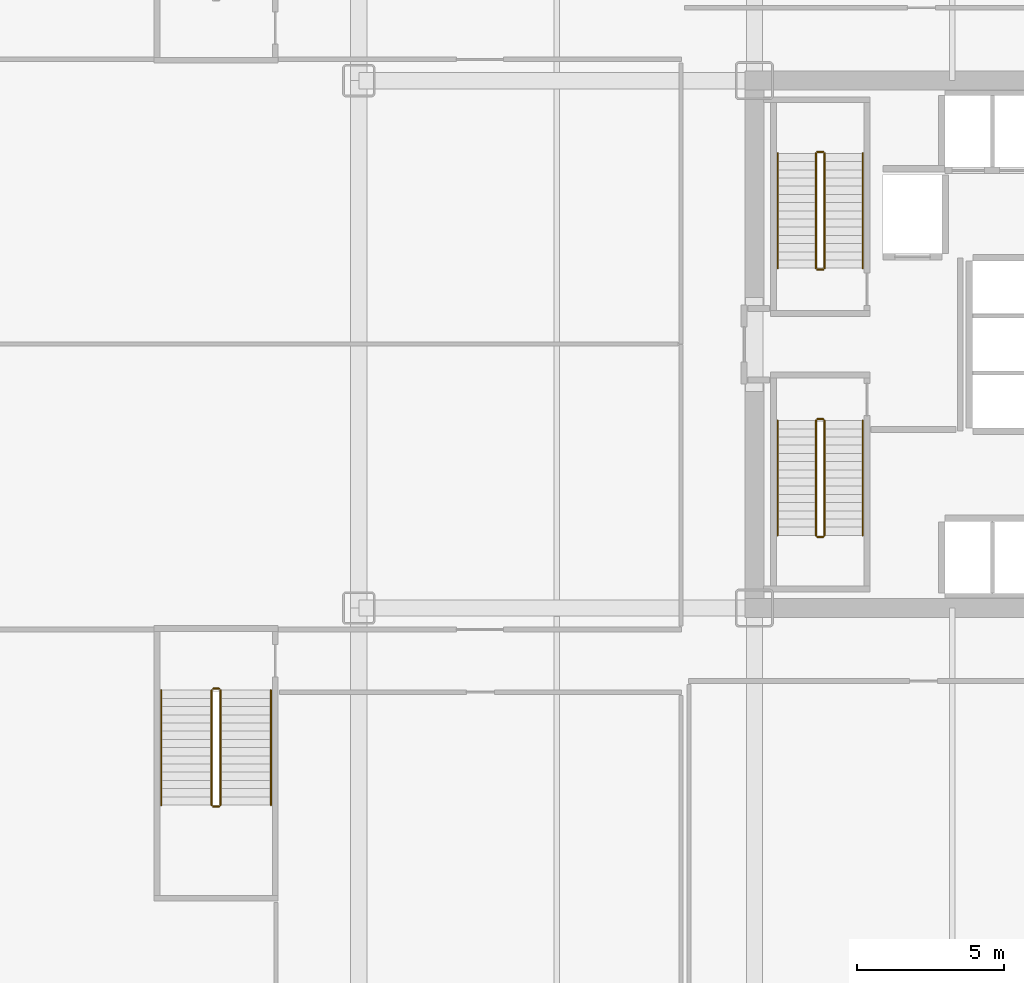
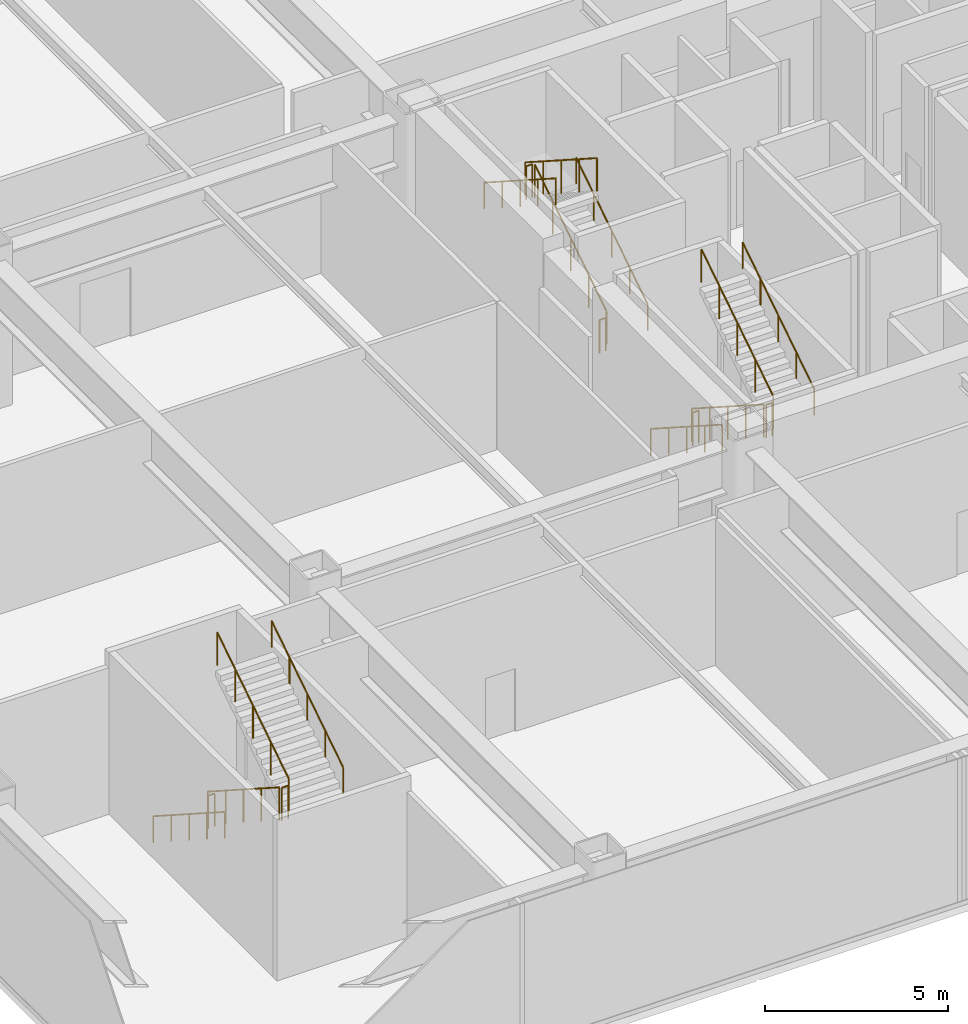
# One storey, part 21 of 24: 18 railings.
"""IFC4 building model written with IfcOpenShell, lengths in metres."""

from ifc_helpers import new_model, si_unit, direction, frame, origin, origin_2d, place, context, subcontext, project, spatial, circle, extrude, material, type_object, element, save


model = new_model("IFC4")

# Units and contexts
model_context = context("Model", 3, precision=1e-05, world=origin(), true_north=direction((0.0, 1.0)))
body_context = subcontext(model_context, "Body", "Model", "MODEL_VIEW")
ifc_project = project(units=[si_unit("LENGTHUNIT", "METRE"), si_unit("AREAUNIT", "SQUARE_METRE"), si_unit("VOLUMEUNIT", "CUBIC_METRE"), si_unit("PLANEANGLEUNIT", "RADIAN"), si_unit("MASSUNIT", "GRAM", prefix="KILO")], contexts=[model_context])

# Site, building, storey
site_placement = place(None, origin())
site = spatial("IfcSite", under=ifc_project, at=site_placement, CompositionType="ELEMENT")
building_placement = place(site_placement, origin())
building = spatial("IfcBuilding", under=site, at=building_placement, Name="Nefas-Gora Pilgrimage Tower", CompositionType="ELEMENT")
storey_placement = place(building_placement, frame((0.0, 0.0, 22.199951171875)))
storey = spatial("IfcBuildingStorey", under=building, at=storey_placement, Name="L04", CompositionType="ELEMENT", Elevation=22.199951171875)

# Railings
ifc_material_1 = material(Name="Painted galvanised steel", Category="steel")
railing_type_1 = type_object("IfcRailingType", Name="RLG-STR-GUARD-1100", PredefinedType="GUARDRAIL", material=ifc_material_1)
railing_1_placement = place(storey_placement, frame((-8.85009765625, 2.60009765625, 0.179931640625)))
element("IfcRailing", 1, at=railing_1_placement, inside=storey, type_object=railing_type_1, Name="L04 ST-01 stair guard 1", PredefinedType="GUARDRAIL", context=body_context, shape_type="SweptSolid", body=[
    extrude(circle(Radius=0.02392578125, at=origin_2d()), frame((0.0, 0.0, 1.09619140625), z_axis=(0.0, 0.841171666519, 0.540768182723), x_axis=(-1.0, 0.0, 0.0)), (0.0, 0.0, 1.0), 4.66015625),
    extrude(circle(Radius=0.02099609375, at=origin_2d()), origin(), (0.0, 0.0, 1.0), 1.072021484375),
    extrude(circle(Radius=0.02099609375, at=origin_2d()), frame((0.0, 0.97998046875, 0.6298828125)), (0.0, 0.0, 1.0), 1.072021484375),
    extrude(circle(Radius=0.02099609375, at=origin_2d()), frame((0.0, 1.9599609375, 1.260009765625)), (0.0, 0.0, 1.0), 1.072021484375),
    extrude(circle(Radius=0.02099609375, at=origin_2d()), frame((0.0, 2.93994140625, 1.89013671875)), (0.0, 0.0, 1.0), 1.072021484375),
    extrude(circle(Radius=0.02099609375, at=origin_2d()), frame((0.0, 3.919921875, 2.52001953125)), (0.0, 0.0, 1.0), 1.072021484375),
])
railing_2_placement = place(storey_placement, frame((-8.89990234375, 6.570068359375, 2.699951171875)))
element("IfcRailing", 2, at=railing_2_placement, inside=storey, type_object=railing_type_1, Name="L04 ST-01 stair guard 2", PredefinedType="GUARDRAIL", context=body_context, shape_type="SweptSolid", body=[
    extrude(circle(Radius=0.02392578125, at=origin_2d()), frame((0.0, 0.0, 1.09619140625), z_axis=(-1.0, 0.0, 0.0), x_axis=(0.0, -1.0, 0.0)), (0.0, 0.0, 1.0), 0.2001953125),
    extrude(circle(Radius=0.02099609375, at=origin_2d()), origin(), (0.0, 0.0, 1.0), 1.072021484375),
    extrude(circle(Radius=0.02099609375, at=origin_2d()), frame((-0.2001953125, 0.0, 0.0)), (0.0, 0.0, 1.0), 1.072021484375),
])
railing_3_placement = place(storey_placement, frame((-9.14990234375, 6.52001953125, 2.880126953125)))
element("IfcRailing", 3, at=railing_3_placement, inside=storey, type_object=railing_type_1, Name="L04 ST-01 stair guard 3", PredefinedType="GUARDRAIL", context=body_context, shape_type="SweptSolid", body=[
    extrude(circle(Radius=0.02392578125, at=origin_2d()), frame((0.0, 0.0, 1.09619140625), z_axis=(0.0, -0.841171666519, 0.540768182723), x_axis=(1.0, 0.0, 0.0)), (0.0, 0.0, 1.0), 4.66015625),
    extrude(circle(Radius=0.02099609375, at=origin_2d()), origin(), (0.0, 0.0, 1.0), 1.072021484375),
    extrude(circle(Radius=0.02099609375, at=origin_2d()), frame((0.0, -0.97998046875, 0.6298828125)), (0.0, 0.0, 1.0), 1.072021484375),
    extrude(circle(Radius=0.02099609375, at=origin_2d()), frame((0.0, -1.9599609375, 1.260009765625)), (0.0, 0.0, 1.0), 1.072021484375),
    extrude(circle(Radius=0.02099609375, at=origin_2d()), frame((0.0, -2.93994140625, 1.89013671875)), (0.0, 0.0, 1.0), 1.072021484375),
    extrude(circle(Radius=0.02099609375, at=origin_2d()), frame((0.0, -3.919921875, 2.52001953125)), (0.0, 0.0, 1.0), 1.072021484375),
])
railing_4_placement = place(storey_placement, frame((-8.89990234375, 2.550048828125, 0.0)))
element("IfcRailing", 4, at=railing_4_placement, inside=storey, type_object=railing_type_1, Name="L04 ST-01 stair guard 4", PredefinedType="GUARDRAIL", context=body_context, shape_type="SweptSolid", body=[
    extrude(circle(Radius=0.02392578125, at=origin_2d()), frame((0.0, 0.0, 1.09619140625), z_axis=(-1.0, 0.0, 0.0), x_axis=(0.0, -1.0, 0.0)), (0.0, 0.0, 1.0), 0.2001953125),
    extrude(circle(Radius=0.02099609375, at=origin_2d()), origin(), (0.0, 0.0, 1.0), 1.072021484375),
    extrude(circle(Radius=0.02099609375, at=origin_2d()), frame((-0.2001953125, 0.0, 0.0)), (0.0, 0.0, 1.0), 1.072021484375),
])
railing_5_placement = place(storey_placement, frame((-9.14990234375, -2.60009765625, 0.179931640625)))
element("IfcRailing", 5, at=railing_5_placement, inside=storey, type_object=railing_type_1, Name="L04 ST-03 stair guard 1", PredefinedType="GUARDRAIL", context=body_context, shape_type="SweptSolid", body=[
    extrude(circle(Radius=0.02392578125, at=origin_2d()), frame((0.0, 0.0, 1.09619140625), z_axis=(0.0, -0.841171666519, 0.540768182723), x_axis=(1.0, 0.0, 0.0)), (0.0, 0.0, 1.0), 4.66015625),
    extrude(circle(Radius=0.02099609375, at=origin_2d()), origin(), (0.0, 0.0, 1.0), 1.072021484375),
    extrude(circle(Radius=0.02099609375, at=origin_2d()), frame((0.0, -0.97998046875, 0.6298828125)), (0.0, 0.0, 1.0), 1.072021484375),
    extrude(circle(Radius=0.02099609375, at=origin_2d()), frame((0.0, -1.9599609375, 1.260009765625)), (0.0, 0.0, 1.0), 1.072021484375),
    extrude(circle(Radius=0.02099609375, at=origin_2d()), frame((0.0, -2.93994140625, 1.89013671875)), (0.0, 0.0, 1.0), 1.072021484375),
    extrude(circle(Radius=0.02099609375, at=origin_2d()), frame((0.0, -3.919921875, 2.52001953125)), (0.0, 0.0, 1.0), 1.072021484375),
])
railing_6_placement = place(storey_placement, frame((-9.10009765625, -6.570068359375, 2.699951171875)))
element("IfcRailing", 6, at=railing_6_placement, inside=storey, type_object=railing_type_1, Name="L04 ST-03 stair guard 2", PredefinedType="GUARDRAIL", context=body_context, shape_type="SweptSolid", body=[
    extrude(circle(Radius=0.02392578125, at=origin_2d()), frame((0.0, 0.0, 1.09619140625), z_axis=(1.0, 0.0, 0.0), x_axis=(0.0, 1.0, 0.0)), (0.0, 0.0, 1.0), 0.2001953125),
    extrude(circle(Radius=0.02099609375, at=origin_2d()), origin(), (0.0, 0.0, 1.0), 1.072021484375),
    extrude(circle(Radius=0.02099609375, at=origin_2d()), frame((0.2001953125, 0.0, 0.0)), (0.0, 0.0, 1.0), 1.072021484375),
])
railing_7_placement = place(storey_placement, frame((-8.85009765625, -6.52001953125, 2.880126953125)))
element("IfcRailing", 7, at=railing_7_placement, inside=storey, type_object=railing_type_1, Name="L04 ST-03 stair guard 3", PredefinedType="GUARDRAIL", context=body_context, shape_type="SweptSolid", body=[
    extrude(circle(Radius=0.02392578125, at=origin_2d()), frame((0.0, 0.0, 1.09619140625), z_axis=(0.0, 0.841171666519, 0.540768182723), x_axis=(-1.0, 0.0, 0.0)), (0.0, 0.0, 1.0), 4.66015625),
    extrude(circle(Radius=0.02099609375, at=origin_2d()), origin(), (0.0, 0.0, 1.0), 1.072021484375),
    extrude(circle(Radius=0.02099609375, at=origin_2d()), frame((0.0, 0.97998046875, 0.6298828125)), (0.0, 0.0, 1.0), 1.072021484375),
    extrude(circle(Radius=0.02099609375, at=origin_2d()), frame((0.0, 1.9599609375, 1.260009765625)), (0.0, 0.0, 1.0), 1.072021484375),
    extrude(circle(Radius=0.02099609375, at=origin_2d()), frame((0.0, 2.93994140625, 1.89013671875)), (0.0, 0.0, 1.0), 1.072021484375),
    extrude(circle(Radius=0.02099609375, at=origin_2d()), frame((0.0, 3.919921875, 2.52001953125)), (0.0, 0.0, 1.0), 1.072021484375),
])
railing_8_placement = place(storey_placement, frame((-9.10009765625, -2.550048828125, 0.0)))
element("IfcRailing", 8, at=railing_8_placement, inside=storey, type_object=railing_type_1, Name="L04 ST-03 stair guard 4", PredefinedType="GUARDRAIL", context=body_context, shape_type="SweptSolid", body=[
    extrude(circle(Radius=0.02392578125, at=origin_2d()), frame((0.0, 0.0, 1.09619140625), z_axis=(1.0, 0.0, 0.0), x_axis=(0.0, 1.0, 0.0)), (0.0, 0.0, 1.0), 0.2001953125),
    extrude(circle(Radius=0.02099609375, at=origin_2d()), origin(), (0.0, 0.0, 1.0), 1.072021484375),
    extrude(circle(Radius=0.02099609375, at=origin_2d()), frame((0.2001953125, 0.0, 0.0)), (0.0, 0.0, 1.0), 1.072021484375),
])
railing_9_placement = place(storey_placement, frame((-29.77001953125, -11.800048828125, 0.179931640625)))
element("IfcRailing", 9, at=railing_9_placement, inside=storey, type_object=railing_type_1, Name="L04 ST-05 stair guard 1", PredefinedType="GUARDRAIL", context=body_context, shape_type="SweptSolid", body=[
    extrude(circle(Radius=0.02392578125, at=origin_2d()), frame((0.0, 0.0, 1.09619140625), z_axis=(0.0, -0.841171666519, 0.540768182723), x_axis=(1.0, 0.0, 0.0)), (0.0, 0.0, 1.0), 4.66015625),
    extrude(circle(Radius=0.02099609375, at=origin_2d()), origin(), (0.0, 0.0, 1.0), 1.072021484375),
    extrude(circle(Radius=0.02099609375, at=origin_2d()), frame((0.0, -0.97998046875, 0.6298828125)), (0.0, 0.0, 1.0), 1.072021484375),
    extrude(circle(Radius=0.02099609375, at=origin_2d()), frame((0.0, -1.9599609375, 1.260009765625)), (0.0, 0.0, 1.0), 1.072021484375),
    extrude(circle(Radius=0.02099609375, at=origin_2d()), frame((0.0, -2.93994140625, 1.89013671875)), (0.0, 0.0, 1.0), 1.072021484375),
    extrude(circle(Radius=0.02099609375, at=origin_2d()), frame((0.0, -3.919921875, 2.52001953125)), (0.0, 0.0, 1.0), 1.072021484375),
])
railing_10_placement = place(storey_placement, frame((-29.719970703125, -15.77001953125, 2.699951171875)))
element("IfcRailing", 10, at=railing_10_placement, inside=storey, type_object=railing_type_1, Name="L04 ST-05 stair guard 2", PredefinedType="GUARDRAIL", context=body_context, shape_type="SweptSolid", body=[
    extrude(circle(Radius=0.02392578125, at=origin_2d()), frame((0.0, 0.0, 1.09619140625), z_axis=(1.0, 0.0, 0.0), x_axis=(0.0, 1.0, 0.0)), (0.0, 0.0, 1.0), 0.199951171875),
    extrude(circle(Radius=0.02099609375, at=origin_2d()), origin(), (0.0, 0.0, 1.0), 1.072021484375),
    extrude(circle(Radius=0.02099609375, at=origin_2d()), frame((0.199951171875, 0.0, 0.0)), (0.0, 0.0, 1.0), 1.072021484375),
])
railing_11_placement = place(storey_placement, frame((-29.469970703125, -15.719970703125, 2.880126953125)))
element("IfcRailing", 11, at=railing_11_placement, inside=storey, type_object=railing_type_1, Name="L04 ST-05 stair guard 3", PredefinedType="GUARDRAIL", context=body_context, shape_type="SweptSolid", body=[
    extrude(circle(Radius=0.02392578125, at=origin_2d()), frame((0.0, 0.0, 1.09619140625), z_axis=(0.0, 0.841171666519, 0.540768182723), x_axis=(-1.0, 0.0, 0.0)), (0.0, 0.0, 1.0), 4.66015625),
    extrude(circle(Radius=0.02099609375, at=origin_2d()), origin(), (0.0, 0.0, 1.0), 1.072021484375),
    extrude(circle(Radius=0.02099609375, at=origin_2d()), frame((0.0, 0.97998046875, 0.6298828125)), (0.0, 0.0, 1.0), 1.072021484375),
    extrude(circle(Radius=0.02099609375, at=origin_2d()), frame((0.0, 1.9599609375, 1.260009765625)), (0.0, 0.0, 1.0), 1.072021484375),
    extrude(circle(Radius=0.02099609375, at=origin_2d()), frame((0.0, 2.93994140625, 1.89013671875)), (0.0, 0.0, 1.0), 1.072021484375),
    extrude(circle(Radius=0.02099609375, at=origin_2d()), frame((0.0, 3.919921875, 2.52001953125)), (0.0, 0.0, 1.0), 1.072021484375),
])
railing_12_placement = place(storey_placement, frame((-29.719970703125, -11.75, 0.0)))
element("IfcRailing", 12, at=railing_12_placement, inside=storey, type_object=railing_type_1, Name="L04 ST-05 stair guard 4", PredefinedType="GUARDRAIL", context=body_context, shape_type="SweptSolid", body=[
    extrude(circle(Radius=0.02392578125, at=origin_2d()), frame((0.0, 0.0, 1.09619140625), z_axis=(1.0, 0.0, 0.0), x_axis=(0.0, 1.0, 0.0)), (0.0, 0.0, 1.0), 0.199951171875),
    extrude(circle(Radius=0.02099609375, at=origin_2d()), origin(), (0.0, 0.0, 1.0), 1.072021484375),
    extrude(circle(Radius=0.02099609375, at=origin_2d()), frame((0.199951171875, 0.0, 0.0)), (0.0, 0.0, 1.0), 1.072021484375),
])
ifc_material_2 = material(Name="Brushed stainless steel", Category="steel")
railing_type_2 = type_object("IfcRailingType", Name="RLG-STR-HAND-900", PredefinedType="HANDRAIL", material=ifc_material_2)
railing_13_placement = place(storey_placement, frame((-7.550048828125, 2.60009765625, 0.179931640625)))
element("IfcRailing", 13, at=railing_13_placement, inside=storey, type_object=railing_type_2, Name="L04 ST-01 stair handrail 1", PredefinedType="HANDRAIL", context=body_context, shape_type="SweptSolid", body=[
    extrude(circle(Radius=0.02392578125, at=origin_2d()), frame((0.0, 0.0, 0.8759765625), z_axis=(0.0, 0.841171666519, 0.540768182723), x_axis=(-1.0, 0.0, 0.0)), (0.0, 0.0, 1.0), 4.66015625),
    extrude(circle(Radius=0.02099609375, at=origin_2d()), origin(), (0.0, 0.0, 1.0), 0.851806640625),
    extrude(circle(Radius=0.02099609375, at=origin_2d()), frame((0.0, 0.97998046875, 0.6298828125)), (0.0, 0.0, 1.0), 0.851806640625),
    extrude(circle(Radius=0.02099609375, at=origin_2d()), frame((0.0, 1.9599609375, 1.260009765625)), (0.0, 0.0, 1.0), 0.851806640625),
    extrude(circle(Radius=0.02099609375, at=origin_2d()), frame((0.0, 2.93994140625, 1.89013671875)), (0.0, 0.0, 1.0), 0.851806640625),
    extrude(circle(Radius=0.02099609375, at=origin_2d()), frame((0.0, 3.919921875, 2.52001953125)), (0.0, 0.0, 1.0), 0.851806640625),
])
for number, where, name in (
    (14, (-10.449951171875, 6.52001953125, 2.880126953125), "L04 ST-01 stair handrail 2"),
    (15, (-10.449951171875, -2.60009765625, 0.179931640625), "L04 ST-03 stair handrail 1"),
):
    element("IfcRailing", number, at=place(storey_placement, frame(where)), inside=storey, type_object=railing_type_2, Name=name, PredefinedType="HANDRAIL", context=body_context, shape_type="SweptSolid", body=[
        extrude(circle(Radius=0.02392578125, at=origin_2d()), frame((0.0, 0.0, 0.8759765625), z_axis=(0.0, -0.841171666519, 0.540768182723), x_axis=(1.0, 0.0, 0.0)), (0.0, 0.0, 1.0), 4.66015625),
        extrude(circle(Radius=0.02099609375, at=origin_2d()), origin(), (0.0, 0.0, 1.0), 0.851806640625),
        extrude(circle(Radius=0.02099609375, at=origin_2d()), frame((0.0, -0.97998046875, 0.6298828125)), (0.0, 0.0, 1.0), 0.851806640625),
        extrude(circle(Radius=0.02099609375, at=origin_2d()), frame((0.0, -1.9599609375, 1.260009765625)), (0.0, 0.0, 1.0), 0.851806640625),
        extrude(circle(Radius=0.02099609375, at=origin_2d()), frame((0.0, -2.93994140625, 1.89013671875)), (0.0, 0.0, 1.0), 0.851806640625),
        extrude(circle(Radius=0.02099609375, at=origin_2d()), frame((0.0, -3.919921875, 2.52001953125)), (0.0, 0.0, 1.0), 0.851806640625),
    ])
railing_14_placement = place(storey_placement, frame((-7.550048828125, -6.52001953125, 2.880126953125)))
element("IfcRailing", 16, at=railing_14_placement, inside=storey, type_object=railing_type_2, Name="L04 ST-03 stair handrail 2", PredefinedType="HANDRAIL", context=body_context, shape_type="SweptSolid", body=[
    extrude(circle(Radius=0.02392578125, at=origin_2d()), frame((0.0, 0.0, 0.8759765625), z_axis=(0.0, 0.841171666519, 0.540768182723), x_axis=(-1.0, 0.0, 0.0)), (0.0, 0.0, 1.0), 4.66015625),
    extrude(circle(Radius=0.02099609375, at=origin_2d()), origin(), (0.0, 0.0, 1.0), 0.851806640625),
    extrude(circle(Radius=0.02099609375, at=origin_2d()), frame((0.0, 0.97998046875, 0.6298828125)), (0.0, 0.0, 1.0), 0.851806640625),
    extrude(circle(Radius=0.02099609375, at=origin_2d()), frame((0.0, 1.9599609375, 1.260009765625)), (0.0, 0.0, 1.0), 0.851806640625),
    extrude(circle(Radius=0.02099609375, at=origin_2d()), frame((0.0, 2.93994140625, 1.89013671875)), (0.0, 0.0, 1.0), 0.851806640625),
    extrude(circle(Radius=0.02099609375, at=origin_2d()), frame((0.0, 3.919921875, 2.52001953125)), (0.0, 0.0, 1.0), 0.851806640625),
])
railing_15_placement = place(storey_placement, frame((-31.489990234375, -11.800048828125, 0.179931640625)))
element("IfcRailing", 17, at=railing_15_placement, inside=storey, type_object=railing_type_2, Name="L04 ST-05 stair handrail 1", PredefinedType="HANDRAIL", context=body_context, shape_type="SweptSolid", body=[
    extrude(circle(Radius=0.02392578125, at=origin_2d()), frame((0.0, 0.0, 0.8759765625), z_axis=(0.0, -0.841171666519, 0.540768182723), x_axis=(1.0, 0.0, 0.0)), (0.0, 0.0, 1.0), 4.66015625),
    extrude(circle(Radius=0.02099609375, at=origin_2d()), origin(), (0.0, 0.0, 1.0), 0.851806640625),
    extrude(circle(Radius=0.02099609375, at=origin_2d()), frame((0.0, -0.97998046875, 0.6298828125)), (0.0, 0.0, 1.0), 0.851806640625),
    extrude(circle(Radius=0.02099609375, at=origin_2d()), frame((0.0, -1.9599609375, 1.260009765625)), (0.0, 0.0, 1.0), 0.851806640625),
    extrude(circle(Radius=0.02099609375, at=origin_2d()), frame((0.0, -2.93994140625, 1.89013671875)), (0.0, 0.0, 1.0), 0.851806640625),
    extrude(circle(Radius=0.02099609375, at=origin_2d()), frame((0.0, -3.919921875, 2.52001953125)), (0.0, 0.0, 1.0), 0.851806640625),
])
railing_16_placement = place(storey_placement, frame((-27.75, -15.719970703125, 2.880126953125)))
element("IfcRailing", 18, at=railing_16_placement, inside=storey, type_object=railing_type_2, Name="L04 ST-05 stair handrail 2", PredefinedType="HANDRAIL", context=body_context, shape_type="SweptSolid", body=[
    extrude(circle(Radius=0.02392578125, at=origin_2d()), frame((0.0, 0.0, 0.8759765625), z_axis=(0.0, 0.841171666519, 0.540768182723), x_axis=(-1.0, 0.0, 0.0)), (0.0, 0.0, 1.0), 4.66015625),
    extrude(circle(Radius=0.02099609375, at=origin_2d()), origin(), (0.0, 0.0, 1.0), 0.851806640625),
    extrude(circle(Radius=0.02099609375, at=origin_2d()), frame((0.0, 0.97998046875, 0.6298828125)), (0.0, 0.0, 1.0), 0.851806640625),
    extrude(circle(Radius=0.02099609375, at=origin_2d()), frame((0.0, 1.9599609375, 1.260009765625)), (0.0, 0.0, 1.0), 0.851806640625),
    extrude(circle(Radius=0.02099609375, at=origin_2d()), frame((0.0, 2.93994140625, 1.89013671875)), (0.0, 0.0, 1.0), 0.851806640625),
    extrude(circle(Radius=0.02099609375, at=origin_2d()), frame((0.0, 3.919921875, 2.52001953125)), (0.0, 0.0, 1.0), 0.851806640625),
])

save(model, "model.ifc")
